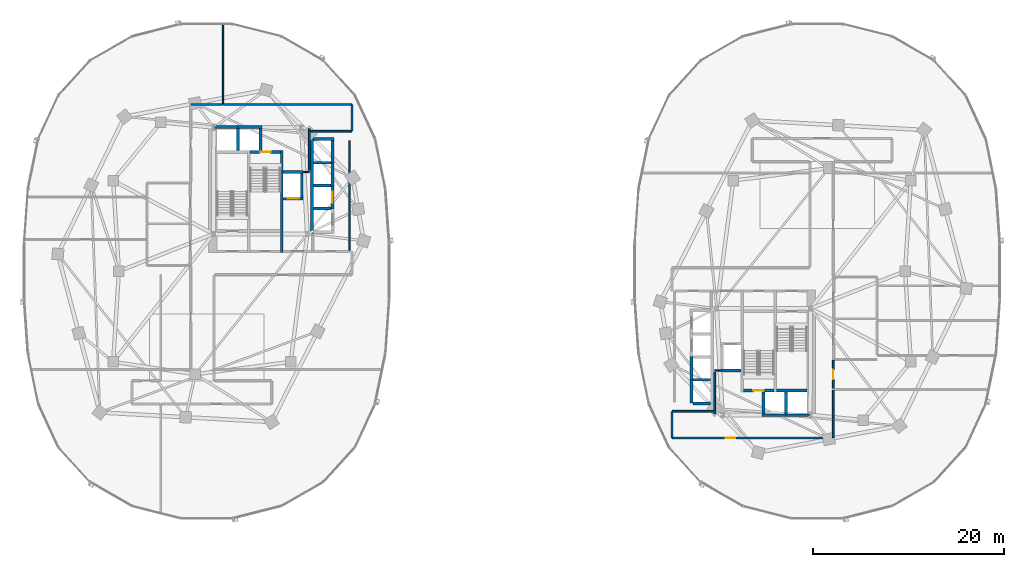
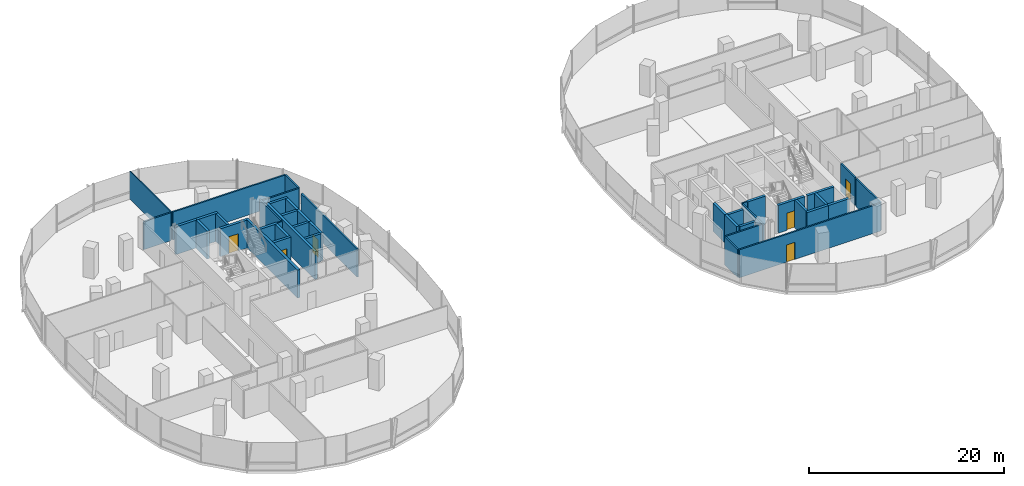
# One storey, part 12 of 21: 43 walls, 6 doors, 6 openings.
"""IFC4 building model written with IfcOpenShell, lengths in metres."""

from ifc_helpers import new_model, si_unit, direction, frame, frame_2d, origin, place, context, subcontext, project, spatial, rectangle, extrude, material, layer, layer_set, type_object, element, fill, save


model = new_model("IFC4")

# Units and contexts
model_context = context("Model", 3, precision=1e-05, world=origin(), true_north=direction((0.0, 1.0)))
body_context = subcontext(model_context, "Body", "Model", "MODEL_VIEW")
ifc_project = project(units=[si_unit("LENGTHUNIT", "METRE"), si_unit("AREAUNIT", "SQUARE_METRE"), si_unit("VOLUMEUNIT", "CUBIC_METRE"), si_unit("PLANEANGLEUNIT", "RADIAN"), si_unit("MASSUNIT", "GRAM", prefix="KILO"), si_unit("THERMODYNAMICTEMPERATUREUNIT", "KELVIN"), si_unit("POWERUNIT", "WATT")], contexts=[model_context])

# Site, building, storey
site_placement = place(None, origin())
site = spatial("IfcSite", under=ifc_project, at=site_placement, CompositionType="ELEMENT")
building_placement = place(site_placement, origin())
building = spatial("IfcBuilding", under=site, at=building_placement, Name="Cundina Bronze Exchange", CompositionType="ELEMENT")
storey_placement = place(building_placement, frame((0.0, 0.0, 46.800048828125)))
storey = spatial("IfcBuildingStorey", under=building, at=storey_placement, Name="L11", CompositionType="ELEMENT", Elevation=46.800048828125)

# Walls
ifc_material_1 = material(Name="Gypsum Fireboard Partition EI120")
ifc_layer_1 = layer(ifc_material_1, 0.179931640625, Name="Gypsum Fireboard Partition EI120")
ifc_layer_set_1 = layer_set([ifc_layer_1], Name="Gypsum Fireboard Partition EI120")
wall_type_1 = type_object("IfcWallType", Name="WL-COR-180", PredefinedType="PARTITIONING", material=ifc_layer_set_1)
wall_1_placement = place(storey_placement, frame((-17.02001953125, 2.169921875, 0.0), z_axis=(0.0, 0.0, 1.0), x_axis=(0.0, 1.0, 0.0)))
element("IfcWall", 1, at=wall_1_placement, inside=storey, type_object=wall_type_1, Name="L11 Interior Partition 001", PredefinedType="PARTITIONING", context=body_context, shape_type="SweptSolid", body=[
    extrude(rectangle(XDim=11.510009765625, YDim=0.179931640625, at=frame_2d((5.7548828125, 0.0))), origin(), (0.0, 0.0, 1.0), 3.5),
])
wall_2_placement = place(storey_placement, frame((-21.25, 10.570068359375, 0.0), z_axis=(0.0, 0.0, 1.0), x_axis=(0.0, 1.0, 0.0)))
element("IfcWall", 2, at=wall_2_placement, inside=storey, type_object=wall_type_1, Name="L11 Interior Partition 004", PredefinedType="PARTITIONING", context=body_context, shape_type="SweptSolid", body=[
    extrude(rectangle(XDim=4.35986328125, YDim=0.179931640625, at=frame_2d((2.179931640625, 0.0))), origin(), (0.0, 0.0, 1.0), 3.5),
])
wall_3_placement = place(storey_placement, frame((-16.821533203125, 17.469970703125, 0.0), z_axis=(0.0, 0.0, 1.0), x_axis=(-1.0, 0.0, 0.0)))
element("IfcWall", 3, at=wall_3_placement, inside=storey, type_object=wall_type_1, Name="L11 Interior Partition 032", PredefinedType="PARTITIONING", context=body_context, shape_type="SweptSolid", body=[
    extrude(rectangle(XDim=13.368408203125, YDim=0.179931640625, at=frame_2d((6.68408203125, 0.0))), origin(), (0.0, 0.0, 1.0), 3.5),
])
wall_4_placement = place(storey_placement, frame((-21.178466796875, 14.679931640625, 0.0), z_axis=(0.0, 0.0, 1.0), x_axis=(1.0, 0.0, 0.0)))
element("IfcWall", 4, at=wall_4_placement, inside=storey, type_object=wall_type_1, Name="L11 Interior Partition 034", PredefinedType="PARTITIONING", context=body_context, shape_type="SweptSolid", body=[
    extrude(rectangle(XDim=4.35693359375, YDim=0.179931640625, at=frame_2d((2.178466796875, 0.0))), origin(), (0.0, 0.0, 1.0), 3.5),
])
wall_5_placement = place(storey_placement, frame((-16.780029296875, 14.721435546875, 0.0), z_axis=(0.0, 0.0, 1.0), x_axis=(0.0, 1.0, 0.0)))
element("IfcWall", 5, at=wall_5_placement, inside=storey, type_object=wall_type_1, Name="L11 Interior Partition 035", PredefinedType="PARTITIONING", context=body_context, shape_type="SweptSolid", body=[
    extrude(rectangle(XDim=2.70703125, YDim=0.179931640625, at=frame_2d((1.353515625, 0.0))), origin(), (0.0, 0.0, 1.0), 3.5),
])
wall_6_placement = place(storey_placement, frame((-30.3701171875, 17.469970703125, 0.0), z_axis=(0.0, 0.0, 1.0), x_axis=(-1.0, 0.0, 0.0)))
element("IfcWall", 6, at=wall_6_placement, inside=storey, type_object=wall_type_1, Name="L11 Interior Partition 038", PredefinedType="PARTITIONING", context=body_context, shape_type="SweptSolid", body=[
    extrude(rectangle(XDim=3.25830078125, YDim=0.179931640625, at=frame_2d((1.629150390625, 0.0))), origin(), (0.0, 0.0, 1.0), 3.5),
])
wall_7_placement = place(storey_placement, frame((21.25, -14.929931640625, 0.0), z_axis=(0.0, 0.0, 1.0), x_axis=(0.0, 1.0, 0.0)))
element("IfcWall", 7, at=wall_7_placement, inside=storey, type_object=wall_type_1, Name="L11 Interior Partition 043", PredefinedType="PARTITIONING", context=body_context, shape_type="SweptSolid", body=[
    extrude(rectangle(XDim=4.35986328125, YDim=0.179931640625, at=frame_2d((2.179931640625, 0.0))), origin(), (0.0, 0.0, 1.0), 3.5),
])

# Wall, opening, door
wall_8_placement = place(storey_placement, frame((33.669921875, -12.2900390625, 0.0), z_axis=(0.0, 0.0, 1.0), x_axis=(0.0, 1.0, 0.0)))
wall_8 = element("IfcWall", 8, at=wall_8_placement, inside=storey, type_object=wall_type_1, Name="L11 Interior Partition 057", PredefinedType="PARTITIONING", context=body_context, shape_type="SweptSolid", body=[
    extrude(rectangle(XDim=2.938720703125, YDim=0.179931640625, at=frame_2d((1.46923828125, 0.0))), origin(), (0.0, 0.0, 1.0), 3.5),
])
opening_1_placement = place(wall_8_placement, frame((0.96923828125, 0.0, 0.0)))
opening_1 = element("IfcOpeningElement", 9, at=opening_1_placement, cuts=wall_8, Name="Opening DO-01", PredefinedType="OPENING", context=body_context, shape_type="SweptSolid", body=[
    extrude(rectangle(XDim=1.0, YDim=2.14990234375, at=frame_2d((0.5, 1.074951171875))), frame((0.0, 0.099853515625, 0.0), z_axis=(0.0, -1.0, 0.0), x_axis=(1.0, 0.0, 0.0)), (0.0, 0.0, 1.0), 0.199951171875),
])
ifc_material_2 = material(Name="Solid Andean Oak Timber Grade A", Category="wood")
door_type_1 = type_object("IfcDoorType", Name="DR-OFF-1000", OperationType="NOTDEFINED", PredefinedType="DOOR", material=ifc_material_2)
door_1_placement = place(opening_1_placement, origin())
door_1 = element("IfcDoor", 10, at=door_1_placement, inside=storey, type_object=door_type_1, Name="L11 Interior Door 057", OperationType="SINGLE_SWING_RIGHT", OverallHeight=2.14990234375, OverallWidth=1.0, PredefinedType="DOOR", context=body_context, shape_type="SweptSolid", body=[
    extrude(rectangle(XDim=1.0, YDim=2.14990234375, at=frame_2d((0.5, 1.074951171875))), frame((0.0, 0.02490234375, 0.0), z_axis=(0.0, -1.0, 0.0), x_axis=(1.0, 0.0, 0.0)), (0.0, 0.0, 1.0), 0.050048828125),
])
fill(opening_1, door_1)

wall_9_placement = place(storey_placement, frame((16.821533203125, -17.469970703125, 0.0), z_axis=(0.0, 0.0, 1.0), x_axis=(1.0, 0.0, 0.0)))
wall_9 = element("IfcWall", 11, at=wall_9_placement, inside=storey, type_object=wall_type_1, Name="L11 Interior Partition 058", PredefinedType="PARTITIONING", context=body_context, shape_type="SweptSolid", body=[
    extrude(rectangle(XDim=16.806884765625, YDim=0.179931640625, at=frame_2d((8.4033203125, 0.0))), origin(), (0.0, 0.0, 1.0), 3.5),
])
opening_2_placement = place(wall_9_placement, frame((5.568603515625, 0.0, 0.0)))
opening_2 = element("IfcOpeningElement", 12, at=opening_2_placement, cuts=wall_9, Name="Opening DO-01", PredefinedType="OPENING", context=body_context, shape_type="SweptSolid", body=[
    extrude(rectangle(XDim=1.0, YDim=2.14990234375, at=frame_2d((0.5, 1.074951171875))), frame((0.0, 0.099853515625, 0.0), z_axis=(0.0, -1.0, 0.0), x_axis=(1.0, 0.0, 0.0)), (0.0, 0.0, 1.0), 0.199951171875),
])
door_2_placement = place(opening_2_placement, origin())
door_2 = element("IfcDoor", 13, at=door_2_placement, inside=storey, type_object=door_type_1, Name="L11 Interior Door 058", OperationType="SINGLE_SWING_RIGHT", OverallHeight=2.14990234375, OverallWidth=1.0, PredefinedType="DOOR", context=body_context, shape_type="SweptSolid", body=[
    extrude(rectangle(XDim=1.0, YDim=2.14990234375, at=frame_2d((0.5, 1.074951171875))), frame((0.0, 0.02490234375, 0.0), z_axis=(0.0, -1.0, 0.0), x_axis=(1.0, 0.0, 0.0)), (0.0, 0.0, 1.0), 0.050048828125),
])
fill(opening_2, door_2)

# Walls
wall_10_placement = place(storey_placement, frame((33.669921875, -17.428466796875, 0.0), z_axis=(0.0, 0.0, 1.0), x_axis=(0.0, 1.0, 0.0)))
element("IfcWall", 14, at=wall_10_placement, inside=storey, type_object=wall_type_1, Name="L11 Interior Partition 061", PredefinedType="PARTITIONING", context=body_context, shape_type="SweptSolid", body=[
    extrude(rectangle(XDim=4.95849609375, YDim=0.179931640625, at=frame_2d((2.479248046875, 0.0))), origin(), (0.0, 0.0, 1.0), 3.5),
])
wall_11_placement = place(storey_placement, frame((21.178466796875, -14.679931640625, 0.0), z_axis=(0.0, 0.0, 1.0), x_axis=(-1.0, 0.0, 0.0)))
element("IfcWall", 15, at=wall_11_placement, inside=storey, type_object=wall_type_1, Name="L11 Interior Partition 062", PredefinedType="PARTITIONING", context=body_context, shape_type="SweptSolid", body=[
    extrude(rectangle(XDim=4.35693359375, YDim=0.179931640625, at=frame_2d((2.178466796875, 0.0))), origin(), (0.0, 0.0, 1.0), 3.5),
])
wall_12_placement = place(storey_placement, frame((16.780029296875, -14.721435546875, 0.0), z_axis=(0.0, 0.0, 1.0), x_axis=(0.0, -1.0, 0.0)))
element("IfcWall", 16, at=wall_12_placement, inside=storey, type_object=wall_type_1, Name="L11 Interior Partition 063", PredefinedType="PARTITIONING", context=body_context, shape_type="SweptSolid", body=[
    extrude(rectangle(XDim=2.70703125, YDim=0.179931640625, at=frame_2d((1.353515625, 0.0))), origin(), (0.0, 0.0, 1.0), 3.5),
])
ifc_material_3 = material(Name="Gypsum Acoustic Partition EI60")
ifc_layer_2 = layer(ifc_material_3, 0.125, Name="Gypsum Acoustic Partition EI60")
ifc_layer_set_2 = layer_set([ifc_layer_2], Name="Gypsum Acoustic Partition EI60")
wall_type_2 = type_object("IfcWallType", Name="WL-OFF-125", PredefinedType="PARTITIONING", material=ifc_layer_set_2)
wall_13_placement = place(storey_placement, frame((-30.280029296875, 17.5, 0.0), z_axis=(0.0, 0.0, 1.0), x_axis=(0.0, 1.0, 0.0)))
element("IfcWall", 17, at=wall_13_placement, inside=storey, type_object=wall_type_2, Name="L11 Interior Partition 022", PredefinedType="PARTITIONING", context=body_context, shape_type="SweptSolid", body=[
    extrude(rectangle(XDim=8.485107421875, YDim=0.125, at=frame_2d((4.24267578125, 0.0))), origin(), (0.0, 0.0, 1.0), 3.5),
])
ifc_material_4 = material(Name="Concrete C50/60", Category="concrete")
ifc_layer_3 = layer(ifc_material_4, 0.300048828125, Name="Concrete C50/60", Category="concrete")
ifc_layer_set_3 = layer_set([ifc_layer_3], Name="Concrete C50/60")
wall_type_3 = type_object("IfcWallType", Name="WL-SHFT-300", PredefinedType="SHEAR", material=ifc_layer_set_3)
wall_14_placement = place(storey_placement, frame((-24.1298828125, 1.969970703125, 0.0), z_axis=(0.0, 0.0, 1.0), x_axis=(0.0, 1.0, 0.0)))
element("IfcWall", 18, at=wall_14_placement, inside=storey, type_object=wall_type_3, Name="L11 W Stair 2 East Shear Wall", PredefinedType="SHEAR", context=body_context, shape_type="SweptSolid", body=[
    extrude(rectangle(XDim=10.679931640625, YDim=0.300048828125, at=frame_2d((5.33984375, 0.0))), origin(), (0.0, 0.0, 1.0), 3.5),
])

# Wall, opening, door
wall_15_placement = place(storey_placement, frame((-27.43994140625, 12.5, 0.0), z_axis=(0.0, 0.0, 1.0), x_axis=(1.0, 0.0, 0.0)))
wall_15 = element("IfcWall", 19, at=wall_15_placement, inside=storey, type_object=wall_type_3, Name="L11 Stair W2 Landing Wall", PredefinedType="SHEAR", context=body_context, shape_type="SweptSolid", body=[
    extrude(rectangle(XDim=3.159912109375, YDim=0.300048828125, at=frame_2d((1.580078125, 0.0))), origin(), (0.0, 0.0, 1.0), 3.5),
])
opening_3_placement = place(wall_15_placement, frame((1.030029296875, 0.0, 0.0)))
opening_3 = element("IfcOpeningElement", 20, at=opening_3_placement, cuts=wall_15, Name="Opening DS-01", PredefinedType="OPENING", context=body_context, shape_type="SweptSolid", body=[
    extrude(rectangle(XDim=1.10009765625, YDim=2.14990234375, at=frame_2d((0.550048828125, 1.074951171875))), frame((0.0, 0.159912109375, 0.0), z_axis=(0.0, -1.0, 0.0), x_axis=(1.0, 0.0, 0.0)), (0.0, 0.0, 1.0), 0.320068359375),
])
ifc_material_5 = material(Name="Steel ASTM A36 Painted", Category="steel")
door_type_2 = type_object("IfcDoorType", Name="DR-STR-1100", OperationType="NOTDEFINED", PredefinedType="DOOR", material=ifc_material_5)
door_3_placement = place(opening_3_placement, origin())
door_3 = element("IfcDoor", 21, at=door_3_placement, inside=storey, type_object=door_type_2, Name="L11 Smokeproof Stair W2 Door", OperationType="SINGLE_SWING_LEFT", OverallHeight=2.14990234375, OverallWidth=1.10009765625, PredefinedType="DOOR", context=body_context, shape_type="SweptSolid", body=[
    extrude(rectangle(XDim=1.10009765625, YDim=2.14990234375, at=frame_2d((0.550048828125, 1.074951171875))), frame((0.0, 0.02490234375, 0.0), z_axis=(0.0, -1.0, 0.0), x_axis=(1.0, 0.0, 0.0)), (0.0, 0.0, 1.0), 0.050048828125),
])
fill(opening_3, door_3)

wall_16_placement = place(storey_placement, frame((-23.97998046875, 7.60009765625, 0.0), z_axis=(0.0, 0.0, 1.0), x_axis=(1.0, 0.0, 0.0)))
wall_16 = element("IfcWall", 22, at=wall_16_placement, inside=storey, type_object=wall_type_3, Name="L11 FFL-W Hoistway Front Wall", PredefinedType="SHEAR", context=body_context, shape_type="SweptSolid", body=[
    extrude(rectangle(XDim=2.10009765625, YDim=0.300048828125, at=frame_2d((1.050048828125, 0.0))), origin(), (0.0, 0.0, 1.0), 3.5),
])
opening_4_placement = place(wall_16_placement, frame((0.47509765625, 0.0, 0.0)))
opening_4 = element("IfcOpeningElement", 23, at=opening_4_placement, cuts=wall_16, Name="Opening LD-01", PredefinedType="OPENING", context=body_context, shape_type="SweptSolid", body=[
    extrude(rectangle(XDim=1.14990234375, YDim=2.199951171875, at=frame_2d((0.574951171875, 1.10009765625))), frame((0.0, 0.159912109375, 0.0), z_axis=(0.0, -1.0, 0.0), x_axis=(1.0, 0.0, 0.0)), (0.0, 0.0, 1.0), 0.320068359375),
])
door_type_3 = type_object("IfcDoorType", Name="DR-LND-1150", OperationType="NOTDEFINED", PredefinedType="TRAPDOOR", material=ifc_material_5)
door_4_placement = place(opening_4_placement, origin())
door_4 = element("IfcDoor", 24, at=door_4_placement, inside=storey, type_object=door_type_3, Name="L11 FFL-W Sliding Landing Door", OperationType="SLIDING_TO_LEFT", OverallHeight=2.199951171875, OverallWidth=1.14990234375, PredefinedType="TRAPDOOR", context=body_context, shape_type="SweptSolid", body=[
    extrude(rectangle(XDim=1.14990234375, YDim=2.199951171875, at=frame_2d((0.574951171875, 1.10009765625))), frame((0.0, 0.02490234375, 0.0), z_axis=(0.0, -1.0, 0.0), x_axis=(1.0, 0.0, 0.0)), (0.0, 0.0, 1.0), 0.050048828125),
])
fill(opening_4, door_4)

# Walls
wall_17_placement = place(storey_placement, frame((-23.97998046875, 10.39990234375, 0.0), z_axis=(0.0, 0.0, 1.0), x_axis=(1.0, 0.0, 0.0)))
element("IfcWall", 25, at=wall_17_placement, inside=storey, type_object=wall_type_3, Name="L11 FFL-W Hoistway Back Wall", PredefinedType="SHEAR", context=body_context, shape_type="SweptSolid", body=[
    extrude(rectangle(XDim=2.10009765625, YDim=0.300048828125, at=frame_2d((1.050048828125, 0.0))), origin(), (0.0, 0.0, 1.0), 3.5),
])
for number, where, z_axis, x_axis, name in (
    (26, (-22.030029296875, 7.75, 0.0), (0.0, 0.0, 1.0), (0.0, 1.0, 0.0), "L11 FFL-W Hoistway Side Wall"),
    (27, (-31.199951171875, 15.10009765625, 0.0), (0.0, 0.0, 1.0), (1.0, 0.0, 0.0), "L11 PH-W1 Hoistway Front Wall"),
):
    element("IfcWall", number, at=place(storey_placement, frame(where, z_axis=z_axis, x_axis=x_axis)), inside=storey, type_object=wall_type_3, Name=name, PredefinedType="SHEAR", context=body_context, shape_type="SweptSolid", body=[
        extrude(rectangle(XDim=2.5, YDim=0.300048828125, at=frame_2d((1.25, 0.0))), origin(), (0.0, 0.0, 1.0), 3.5),
    ])
wall_18_placement = place(storey_placement, frame((-28.699951171875, 12.64990234375, 0.0), z_axis=(0.0, 0.0, 1.0), x_axis=(0.0, 1.0, 0.0)))
element("IfcWall", 28, at=wall_18_placement, inside=storey, type_object=wall_type_3, Name="L11 PH-W1 Hoistway Divider Wall", PredefinedType="SHEAR", context=body_context, shape_type="SweptSolid", body=[
    extrude(rectangle(XDim=2.300048828125, YDim=0.300048828125, at=frame_2d((1.14990234375, 0.0))), origin(), (0.0, 0.0, 1.0), 3.5),
])
wall_19_placement = place(storey_placement, frame((-28.699951171875, 15.10009765625, 0.0), z_axis=(0.0, 0.0, 1.0), x_axis=(1.0, 0.0, 0.0)))
element("IfcWall", 29, at=wall_19_placement, inside=storey, type_object=wall_type_3, Name="L11 PH-W2 Hoistway Front Wall", PredefinedType="SHEAR", context=body_context, shape_type="SweptSolid", body=[
    extrude(rectangle(XDim=2.5, YDim=0.300048828125, at=frame_2d((1.25, 0.0))), origin(), (0.0, 0.0, 1.0), 3.5),
])
wall_20_placement = place(storey_placement, frame((-26.35009765625, 12.64990234375, 0.0), z_axis=(0.0, 0.0, 1.0), x_axis=(0.0, 1.0, 0.0)))
element("IfcWall", 30, at=wall_20_placement, inside=storey, type_object=wall_type_3, Name="L11 PH-W2 Hoistway Divider Wall", PredefinedType="SHEAR", context=body_context, shape_type="SweptSolid", body=[
    extrude(rectangle(XDim=2.300048828125, YDim=0.300048828125, at=frame_2d((1.14990234375, 0.0))), origin(), (0.0, 0.0, 1.0), 3.5),
])
wall_21_placement = place(storey_placement, frame((-20.949951171875, 3.949951171875, 0.0), z_axis=(0.0, 0.0, 1.0), x_axis=(0.0, 1.0, 0.0)))
element("IfcWall", 31, at=wall_21_placement, inside=storey, type_object=wall_type_3, Name="L11 W Passenger Bank Hoistway Back Wall", PredefinedType="SHEAR", context=body_context, shape_type="SweptSolid", body=[
    extrude(rectangle(XDim=10.050048828125, YDim=0.300048828125, at=frame_2d((5.02490234375, 0.0))), origin(), (0.0, 0.0, 1.0), 3.5),
])
wall_22_placement = place(storey_placement, frame((-20.800048828125, 13.85009765625, 0.0), z_axis=(0.0, 0.0, 1.0), x_axis=(1.0, 0.0, 0.0)))
element("IfcWall", 32, at=wall_22_placement, inside=storey, type_object=wall_type_3, Name="L11 W Passenger Bank North Cap Wall", PredefinedType="SHEAR", context=body_context, shape_type="SweptSolid", body=[
    extrude(rectangle(XDim=2.150146484375, YDim=0.300048828125, at=frame_2d((1.0751953125, 0.0))), origin(), (0.0, 0.0, 1.0), 3.5),
])
for number, where, z_axis, x_axis, name in (
    (33, (-20.800048828125, 6.574951171875, 0.0), (0.0, 0.0, 1.0), (1.0, 0.0, 0.0), "L11 W Passenger Hoistway Divider 1"),
    (34, (-20.800048828125, 8.97509765625, 0.0), (0.0, 0.0, 1.0), (1.0, 0.0, 0.0), "L11 W Passenger Hoistway Divider 2"),
    (35, (-20.800048828125, 11.375, 0.0), (0.0, 0.0, 1.0), (1.0, 0.0, 0.0), "L11 W Passenger Hoistway Divider 3"),
):
    element("IfcWall", number, at=place(storey_placement, frame(where, z_axis=z_axis, x_axis=x_axis)), inside=storey, type_object=wall_type_3, Name=name, PredefinedType="SHEAR", context=body_context, shape_type="SweptSolid", body=[
        extrude(rectangle(XDim=1.85009765625, YDim=0.300048828125, at=frame_2d((0.925048828125, 0.0))), origin(), (0.0, 0.0, 1.0), 3.5),
    ])

# Wall, opening, door
wall_23_placement = place(storey_placement, frame((-18.800048828125, 6.530029296875, 0.0), z_axis=(0.0, 0.0, 1.0), x_axis=(0.0, 1.0, 0.0)))
wall_23 = element("IfcWall", 36, at=wall_23_placement, inside=storey, type_object=wall_type_3, Name="L11 PL-W1 Hoistway Front Wall", PredefinedType="SHEAR", context=body_context, shape_type="SweptSolid", body=[
    extrude(rectangle(XDim=2.489990234375, YDim=0.300048828125, at=frame_2d((1.2451171875, 0.0))), origin(), (0.0, 0.0, 1.0), 3.5),
])
opening_5_placement = place(wall_23_placement, frame((0.669921875, 0.0, 0.0)))
opening_5 = element("IfcOpeningElement", 37, at=opening_5_placement, cuts=wall_23, Name="Opening LD-01", PredefinedType="OPENING", context=body_context, shape_type="SweptSolid", body=[
    extrude(rectangle(XDim=1.14990234375, YDim=2.199951171875, at=frame_2d((0.574951171875, 1.10009765625))), frame((0.0, 0.159912109375, 0.0), z_axis=(0.0, -1.0, 0.0), x_axis=(1.0, 0.0, 0.0)), (0.0, 0.0, 1.0), 0.320068359375),
])
door_5_placement = place(opening_5_placement, origin())
door_5 = element("IfcDoor", 38, at=door_5_placement, inside=storey, type_object=door_type_3, Name="L11 PL-W1 Sliding Landing Door", OperationType="SLIDING_TO_LEFT", OverallHeight=2.199951171875, OverallWidth=1.14990234375, PredefinedType="TRAPDOOR", context=body_context, shape_type="SweptSolid", body=[
    extrude(rectangle(XDim=1.14990234375, YDim=2.199951171875, at=frame_2d((0.574951171875, 1.10009765625))), frame((0.0, 0.02490234375, 0.0), z_axis=(0.0, -1.0, 0.0), x_axis=(1.0, 0.0, 0.0)), (0.0, 0.0, 1.0), 0.050048828125),
])
fill(opening_5, door_5)

# Walls
for number, where, z_axis, x_axis, name in (
    (39, (-18.800048828125, 8.929931640625, 0.0), (0.0, 0.0, 1.0), (0.0, 1.0, 0.0), "L11 PM-W2 Hoistway Front Wall"),
    (40, (-18.800048828125, 11.330078125, 0.0), (0.0, 0.0, 1.0), (0.0, 1.0, 0.0), "L11 PM-W1 Hoistway Front Wall"),
):
    element("IfcWall", number, at=place(storey_placement, frame(where, z_axis=z_axis, x_axis=x_axis)), inside=storey, type_object=wall_type_3, Name=name, PredefinedType="SHEAR", context=body_context, shape_type="SweptSolid", body=[
        extrude(rectangle(XDim=2.489990234375, YDim=0.300048828125, at=frame_2d((1.2451171875, 0.0))), origin(), (0.0, 0.0, 1.0), 3.5),
    ])
wall_24_placement = place(storey_placement, frame((27.739990234375, -12.5, 0.0), z_axis=(0.0, 0.0, 1.0), x_axis=(1.0, 0.0, 0.0)))
element("IfcWall", 41, at=wall_24_placement, inside=storey, type_object=wall_type_3, Name="L11 Stair E1 Far Shaft Wall", PredefinedType="SHEAR", context=body_context, shape_type="SweptSolid", body=[
    extrude(rectangle(XDim=3.159912109375, YDim=0.300048828125, at=frame_2d((1.580078125, 0.0))), origin(), (0.0, 0.0, 1.0), 3.5),
])

# Wall, opening, door
wall_25_placement = place(storey_placement, frame((24.280029296875, -12.5, 0.0), z_axis=(0.0, 0.0, 1.0), x_axis=(1.0, 0.0, 0.0)))
wall_25 = element("IfcWall", 42, at=wall_25_placement, inside=storey, type_object=wall_type_3, Name="L11 Stair E2 Landing Wall", PredefinedType="SHEAR", context=body_context, shape_type="SweptSolid", body=[
    extrude(rectangle(XDim=3.159912109375, YDim=0.300048828125, at=frame_2d((1.580078125, 0.0))), origin(), (0.0, 0.0, 1.0), 3.5),
])
opening_6_placement = place(wall_25_placement, frame((1.030029296875, 0.0, 0.0)))
opening_6 = element("IfcOpeningElement", 43, at=opening_6_placement, cuts=wall_25, Name="Opening DS-01", PredefinedType="OPENING", context=body_context, shape_type="SweptSolid", body=[
    extrude(rectangle(XDim=1.10009765625, YDim=2.14990234375, at=frame_2d((0.550048828125, 1.074951171875))), frame((0.0, 0.159912109375, 0.0), z_axis=(0.0, -1.0, 0.0), x_axis=(1.0, 0.0, 0.0)), (0.0, 0.0, 1.0), 0.320068359375),
])
door_6_placement = place(opening_6_placement, origin())
door_6 = element("IfcDoor", 44, at=door_6_placement, inside=storey, type_object=door_type_2, Name="L11 Smokeproof Stair E2 Door", OperationType="SINGLE_SWING_RIGHT", OverallHeight=2.14990234375, OverallWidth=1.10009765625, PredefinedType="DOOR", context=body_context, shape_type="SweptSolid", body=[
    extrude(rectangle(XDim=1.10009765625, YDim=2.14990234375, at=frame_2d((0.550048828125, 1.074951171875))), frame((0.0, 0.02490234375, 0.0), z_axis=(0.0, -1.0, 0.0), x_axis=(1.0, 0.0, 0.0)), (0.0, 0.0, 1.0), 0.050048828125),
])
fill(opening_6, door_6)

# Walls
wall_26_placement = place(storey_placement, frame((21.8798828125, -10.39990234375, 0.0), z_axis=(0.0, 0.0, 1.0), x_axis=(1.0, 0.0, 0.0)))
element("IfcWall", 45, at=wall_26_placement, inside=storey, type_object=wall_type_3, Name="L11 FFL-E Hoistway Back Wall", PredefinedType="SHEAR", context=body_context, shape_type="SweptSolid", body=[
    extrude(rectangle(XDim=2.10009765625, YDim=0.300048828125, at=frame_2d((1.050048828125, 0.0))), origin(), (0.0, 0.0, 1.0), 3.5),
])
wall_27_placement = place(storey_placement, frame((28.699951171875, -15.10009765625, 0.0), z_axis=(0.0, 0.0, 1.0), x_axis=(1.0, 0.0, 0.0)))
element("IfcWall", 46, at=wall_27_placement, inside=storey, type_object=wall_type_3, Name="L11 PH-E1 Hoistway Front Wall", PredefinedType="SHEAR", context=body_context, shape_type="SweptSolid", body=[
    extrude(rectangle(XDim=2.5, YDim=0.300048828125, at=frame_2d((1.25, 0.0))), origin(), (0.0, 0.0, 1.0), 3.5),
])
wall_28_placement = place(storey_placement, frame((28.699951171875, -14.949951171875, 0.0), z_axis=(0.0, 0.0, 1.0), x_axis=(0.0, 1.0, 0.0)))
element("IfcWall", 47, at=wall_28_placement, inside=storey, type_object=wall_type_3, Name="L11 PH-E1 Hoistway Divider Wall", PredefinedType="SHEAR", context=body_context, shape_type="SweptSolid", body=[
    extrude(rectangle(XDim=2.300048828125, YDim=0.300048828125, at=frame_2d((1.14990234375, 0.0))), origin(), (0.0, 0.0, 1.0), 3.5),
])
wall_29_placement = place(storey_placement, frame((26.199951171875, -15.10009765625, 0.0), z_axis=(0.0, 0.0, 1.0), x_axis=(1.0, 0.0, 0.0)))
element("IfcWall", 48, at=wall_29_placement, inside=storey, type_object=wall_type_3, Name="L11 PH-E2 Hoistway Front Wall", PredefinedType="SHEAR", context=body_context, shape_type="SweptSolid", body=[
    extrude(rectangle(XDim=2.5, YDim=0.300048828125, at=frame_2d((1.25, 0.0))), origin(), (0.0, 0.0, 1.0), 3.5),
])
wall_30_placement = place(storey_placement, frame((26.35009765625, -14.949951171875, 0.0), z_axis=(0.0, 0.0, 1.0), x_axis=(0.0, 1.0, 0.0)))
element("IfcWall", 49, at=wall_30_placement, inside=storey, type_object=wall_type_3, Name="L11 PH-E2 Hoistway Divider Wall", PredefinedType="SHEAR", context=body_context, shape_type="SweptSolid", body=[
    extrude(rectangle(XDim=2.300048828125, YDim=0.300048828125, at=frame_2d((1.14990234375, 0.0))), origin(), (0.0, 0.0, 1.0), 3.5),
])
for number, where, z_axis, x_axis, name in (
    (50, (18.949951171875, -13.85009765625, 0.0), (0.0, 0.0, 1.0), (1.0, 0.0, 0.0), "L11 E Passenger Bank South Cap Wall"),
    (51, (18.949951171875, -11.375, 0.0), (0.0, 0.0, 1.0), (1.0, 0.0, 0.0), "L11 E Passenger Hoistway Divider 1"),
):
    element("IfcWall", number, at=place(storey_placement, frame(where, z_axis=z_axis, x_axis=x_axis)), inside=storey, type_object=wall_type_3, Name=name, PredefinedType="SHEAR", context=body_context, shape_type="SweptSolid", body=[
        extrude(rectangle(XDim=1.85009765625, YDim=0.300048828125, at=frame_2d((0.925048828125, 0.0))), origin(), (0.0, 0.0, 1.0), 3.5),
    ])
for number, where, z_axis, x_axis, name in (
    (52, (18.800048828125, -13.820068359375, 0.0), (0.0, 0.0, 1.0), (0.0, 1.0, 0.0), "L11 PM-E1 Hoistway Front Wall"),
    (53, (18.800048828125, -11.419921875, 0.0), (0.0, 0.0, 1.0), (0.0, 1.0, 0.0), "L11 PM-E2 Hoistway Front Wall"),
):
    element("IfcWall", number, at=place(storey_placement, frame(where, z_axis=z_axis, x_axis=x_axis)), inside=storey, type_object=wall_type_3, Name=name, PredefinedType="SHEAR", context=body_context, shape_type="SweptSolid", body=[
        extrude(rectangle(XDim=2.489990234375, YDim=0.300048828125, at=frame_2d((1.2451171875, 0.0))), origin(), (0.0, 0.0, 1.0), 3.5),
    ])
ifc_material_6 = material(Name="Moisture-Resistant Masonry Block Grade M15", Category="masonry")
ifc_layer_4 = layer(ifc_material_6, 0.139892578125, Name="Moisture-Resistant Masonry Block Grade M15", Category="masonry")
ifc_layer_set_4 = layer_set([ifc_layer_4], Name="Moisture-Resistant Masonry Block Grade M15")
wall_type_4 = type_object("IfcWallType", Name="WL-WET-140", PredefinedType="PARTITIONING", material=ifc_layer_set_4)
for number, where, z_axis, x_axis, name in (
    (54, (-21.860107421875, 10.39990234375, 0.0), (0.0, 0.0, 1.0), (1.0, 0.0, 0.0), "L11 Interior Partition 003"),
    (55, (21.27001953125, -10.39990234375, 0.0), (0.0, 0.0, 1.0), (1.0, 0.0, 0.0), "L11 Interior Partition 042"),
):
    element("IfcWall", number, at=place(storey_placement, frame(where, z_axis=z_axis, x_axis=x_axis)), inside=storey, type_object=wall_type_4, Name=name, PredefinedType="PARTITIONING", context=body_context, shape_type="SweptSolid", body=[
        extrude(rectangle(XDim=0.590087890625, YDim=0.139892578125, at=frame_2d((0.294921875, 0.0))), origin(), (0.0, 0.0, 1.0), 3.5),
    ])

save(model, "model.ifc")
